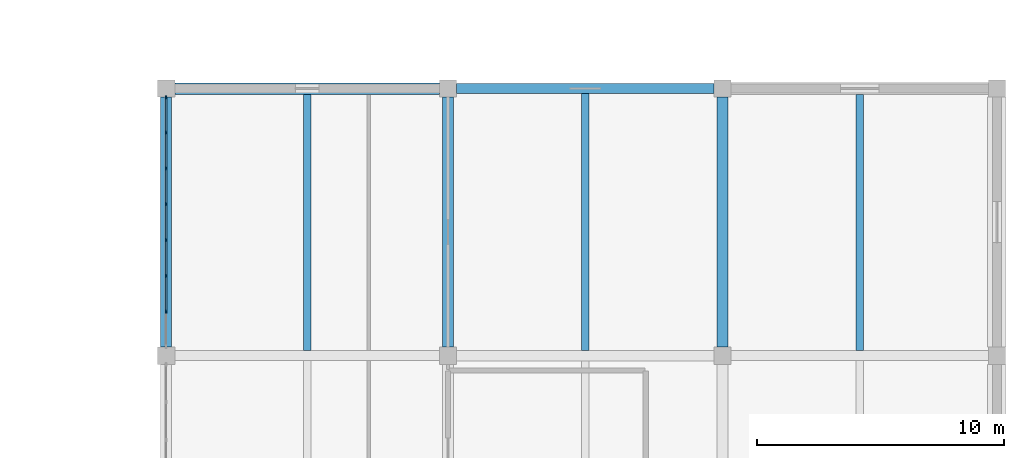
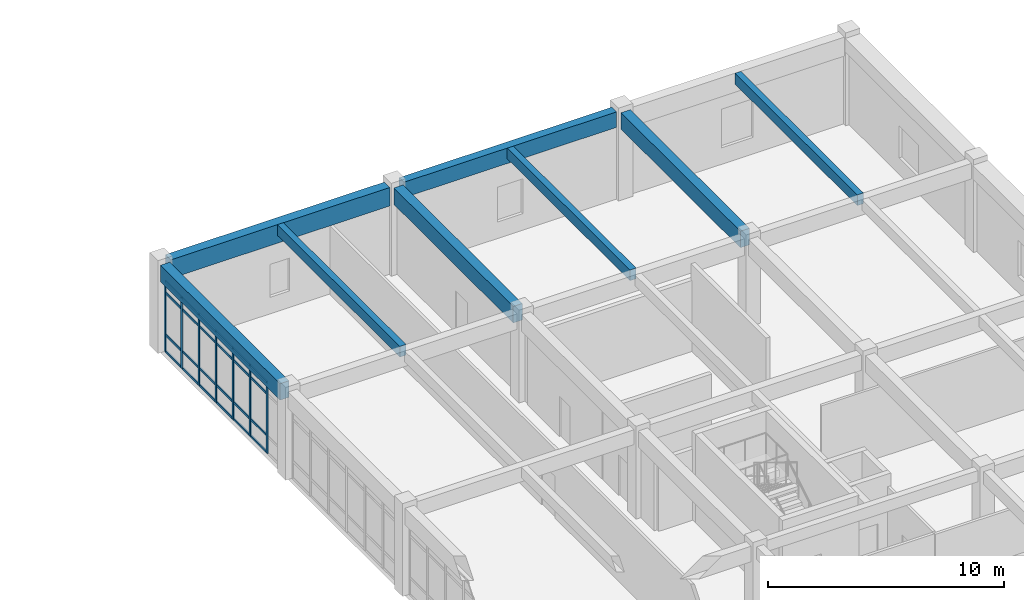
# One storey, part 31 of 65: 31 members, 8 beams, 1 element without a shape of its own.
"""IFC4 building model written with IfcOpenShell, lengths in metres."""

from ifc_helpers import new_model, si_unit, direction, frame, origin, origin_2d, place, context, subcontext, project, spatial, rectangle, extrude, material, layer, layer_set, material_profile, profile_set, type_object, element, aggregate, save


model = new_model("IFC4")

# Units and contexts
model_context = context("Model", 3, precision=1e-05, world=origin(), true_north=direction((0.0, 1.0)))
body_context = subcontext(model_context, "Body", "Model", "MODEL_VIEW")
ifc_project = project(units=[si_unit("LENGTHUNIT", "METRE"), si_unit("AREAUNIT", "SQUARE_METRE"), si_unit("VOLUMEUNIT", "CUBIC_METRE"), si_unit("PLANEANGLEUNIT", "RADIAN"), si_unit("MASSUNIT", "GRAM", prefix="KILO")], contexts=[model_context])

# Site, building, storey
site_placement = place(None, origin())
site = spatial("IfcSite", under=ifc_project, at=site_placement, CompositionType="ELEMENT")
building_placement = place(site_placement, origin())
building = spatial("IfcBuilding", under=site, at=building_placement, Name="Miralva Faculty of Natural Sciences", CompositionType="ELEMENT")
storey_placement = place(building_placement, frame((0.0, 0.0, 10.199951171875)))
storey = spatial("IfcBuildingStorey", under=building, at=storey_placement, Name="L02", CompositionType="ELEMENT", Elevation=10.199951171875)

# Beams
ifc_material_1 = material(Name="Concrete C40/50", Category="concrete")
ifc_material_profile_1 = material_profile(ifc_material_1, rectangle(XDim=0.449951171875, YDim=0.85009765625, at=origin_2d()), Name="RC 450x850")
ifc_profile_set_1 = profile_set([ifc_material_profile_1], Name="Concrete C40/50")
beam_type_1 = type_object("IfcBeamType", Name="BM-B01", PredefinedType="BEAM", material=ifc_profile_set_1)
for number, where, z_axis, x_axis, name in (
    (1, (133.800048828125, 65.75, 4.094970703125), (0.0, 1.0, 0.0), (-1.0, 0.0, 0.0), "Girder NS L02-126"),
    (2, (145.199951171875, 65.75, 4.094970703125), (0.0, 1.0, 0.0), (-1.0, 0.0, 0.0), "Girder NS L02-133"),
    (3, (156.300048828125, 65.75, 4.094970703125), (0.0, 1.0, 0.0), (-1.0, 0.0, 0.0), "Girder NS L02-140"),
):
    element("IfcBeam", number, at=place(storey_placement, frame(where, z_axis=z_axis, x_axis=x_axis)), inside=storey, type_object=beam_type_1, Name=name, PredefinedType="BEAM", context=body_context, shape_type="SweptSolid", body=[
        extrude(rectangle(XDim=0.449951171875, YDim=0.85009765625, at=origin_2d()), origin(), (0.0, 0.0, 1.0), 10.10009765625),
    ])
ifc_material_profile_2 = material_profile(ifc_material_1, rectangle(XDim=0.39990234375, YDim=0.800048828125, at=origin_2d()), Name="RC 400x800")
ifc_profile_set_2 = profile_set([ifc_material_profile_2], Name="Concrete C40/50")
beam_type_2 = type_object("IfcBeamType", Name="BM-B02", PredefinedType="BEAM", material=ifc_profile_set_2)
beam_1_placement = place(storey_placement, frame((145.550048828125, 76.199951171875, 4.1201171875), z_axis=(1.0, 0.0, 0.0), x_axis=(0.0, 1.0, 0.0)))
element("IfcBeam", 4, at=beam_1_placement, inside=storey, type_object=beam_type_2, Name="Girder EW L02-58", PredefinedType="BEAM", context=body_context, shape_type="SweptSolid", body=[
    extrude(rectangle(XDim=0.39990234375, YDim=0.800048828125, at=origin_2d()), origin(), (0.0, 0.0, 1.0), 10.39990234375),
])
ifc_material_profile_3 = material_profile(ifc_material_1, rectangle(XDim=0.4599609375, YDim=0.9599609375, at=origin_2d()), Name="RC 460x960")
ifc_profile_set_3 = profile_set([ifc_material_profile_3], Name="Concrete C40/50")
beam_type_3 = type_object("IfcBeamType", Name="BM-BG16", PredefinedType="BEAM", material=ifc_profile_set_3)
beam_2_placement = place(storey_placement, frame((134.14990234375, 76.199951171875, 4.0400390625), z_axis=(1.0, 0.0, 0.0), x_axis=(0.0, 1.0, 0.0)))
element("IfcBeam", 5, at=beam_2_placement, inside=storey, type_object=beam_type_3, Name="Girder EW L02-57", PredefinedType="BEAM", context=body_context, shape_type="SweptSolid", body=[
    extrude(rectangle(XDim=0.4599609375, YDim=0.9599609375, at=origin_2d()), origin(), (0.0, 0.0, 1.0), 10.7001953125),
])
ifc_material_profile_4 = material_profile(ifc_material_1, rectangle(XDim=0.300048828125, YDim=0.550048828125, at=origin_2d()), Name="RC 300x550")
ifc_profile_set_4 = profile_set([ifc_material_profile_4], Name="Concrete C40/50")
beam_type_4 = type_object("IfcBeamType", Name="BM-J02", PredefinedType="JOIST", material=ifc_profile_set_4)
beam_3_placement = place(storey_placement, frame((139.5, 65.60009765625, 4.2451171875), z_axis=(0.0, 1.0, 0.0), x_axis=(-1.0, 0.0, 0.0)))
element("IfcBeam", 6, at=beam_3_placement, inside=storey, type_object=beam_type_4, Name="Floor joist L02-23", PredefinedType="JOIST", context=body_context, shape_type="SweptSolid", body=[
    extrude(rectangle(XDim=0.300048828125, YDim=0.550048828125, at=origin_2d()), origin(), (0.0, 0.0, 1.0), 10.369873046875),
])
beam_4_placement = place(storey_placement, frame((150.75, 65.610107421875, 4.2451171875), z_axis=(0.0, 1.0, 0.0), x_axis=(-1.0, 0.0, 0.0)))
element("IfcBeam", 7, at=beam_4_placement, inside=storey, type_object=beam_type_4, Name="Floor joist L02-24", PredefinedType="JOIST", context=body_context, shape_type="SweptSolid", body=[
    extrude(rectangle(XDim=0.300048828125, YDim=0.550048828125, at=origin_2d()), origin(), (0.0, 0.0, 1.0), 10.389892578125),
])
beam_5_placement = place(storey_placement, frame((161.85009765625, 65.60009765625, 4.2451171875), z_axis=(0.0, 1.0, 0.0), x_axis=(-1.0, 0.0, 0.0)))
element("IfcBeam", 8, at=beam_5_placement, inside=storey, type_object=beam_type_4, Name="Floor joist L02-25", PredefinedType="JOIST", context=body_context, shape_type="SweptSolid", body=[
    extrude(rectangle(XDim=0.300048828125, YDim=0.550048828125, at=origin_2d()), origin(), (0.0, 0.0, 1.0), 10.35986328125),
])

# Curtain wall, members
ifc_material_2 = material(Name="Laminated solar-control glass", Category="glass")
ifc_layer = layer(ifc_material_2, 0.179931640625, Name="CW-COM-L01")
ifc_layer_set = layer_set([ifc_layer], Name="Laminated solar-control glass")
curtain_wall_type = type_object("IfcCurtainWallType", Name="CW-COM-L01", PredefinedType="USERDEFINED", material=ifc_layer_set)
curtain_wall_placement = place(storey_placement, origin())
curtain_wall = element("IfcCurtainWall", 9, at=curtain_wall_placement, inside=storey, type_object=curtain_wall_type, Name="Curtain wall CW-10 L02-274", ObjectType="UNITISED CURTAIN WALL", PredefinedType="USERDEFINED")
ifc_material_3 = material(Name="Anodised aluminium", Category="aluminium")
ifc_material_profile_5 = material_profile(ifc_material_3, rectangle(XDim=0.06005859375, YDim=0.139892578125, at=origin_2d()), Name="MULLION 60x140")
ifc_profile_set_5 = profile_set([ifc_material_profile_5], Name="Anodised aluminium")
member_type_1 = type_object("IfcMemberType", Name="CW-M03", PredefinedType="MULLION", material=ifc_profile_set_5)
member_1_placement = place(storey_placement, frame((133.800048828125, 67.18212890625, 0.0), z_axis=(0.0, 0.0, 1.0), x_axis=(-1.0, 0.0, 0.0)))
member_1 = element("IfcMember", 10, at=member_1_placement, type_object=member_type_1, Name="CW-10 mullion 2", PredefinedType="MULLION", context=body_context, shape_type="SweptSolid", body=[
    extrude(rectangle(XDim=0.06005859375, YDim=0.139892578125, at=origin_2d()), origin(), (0.0, 0.0, 1.0), 3.6650390625),
])
member_2_placement = place(storey_placement, frame((133.800048828125, 68.62939453125, 0.0), z_axis=(0.0, 0.0, 1.0), x_axis=(-1.0, 0.0, 0.0)))
member_2 = element("IfcMember", 11, at=member_2_placement, type_object=member_type_1, Name="CW-10 mullion 3", PredefinedType="MULLION", context=body_context, shape_type="SweptSolid", body=[
    extrude(rectangle(XDim=0.06005859375, YDim=0.139892578125, at=origin_2d()), origin(), (0.0, 0.0, 1.0), 3.6650390625),
])
member_3_placement = place(storey_placement, frame((133.800048828125, 70.076416015625, 0.0), z_axis=(0.0, 0.0, 1.0), x_axis=(-1.0, 0.0, 0.0)))
member_3 = element("IfcMember", 12, at=member_3_placement, type_object=member_type_1, Name="CW-10 mullion 4", PredefinedType="MULLION", context=body_context, shape_type="SweptSolid", body=[
    extrude(rectangle(XDim=0.06005859375, YDim=0.139892578125, at=origin_2d()), origin(), (0.0, 0.0, 1.0), 3.6650390625),
])
member_4_placement = place(storey_placement, frame((133.800048828125, 71.523681640625, 0.0), z_axis=(0.0, 0.0, 1.0), x_axis=(-1.0, 0.0, 0.0)))
member_4 = element("IfcMember", 13, at=member_4_placement, type_object=member_type_1, Name="CW-10 mullion 5", PredefinedType="MULLION", context=body_context, shape_type="SweptSolid", body=[
    extrude(rectangle(XDim=0.06005859375, YDim=0.139892578125, at=origin_2d()), origin(), (0.0, 0.0, 1.0), 3.6650390625),
])
member_5_placement = place(storey_placement, frame((133.800048828125, 72.970703125, 0.0), z_axis=(0.0, 0.0, 1.0), x_axis=(-1.0, 0.0, 0.0)))
member_5 = element("IfcMember", 14, at=member_5_placement, type_object=member_type_1, Name="CW-10 mullion 6", PredefinedType="MULLION", context=body_context, shape_type="SweptSolid", body=[
    extrude(rectangle(XDim=0.06005859375, YDim=0.139892578125, at=origin_2d()), origin(), (0.0, 0.0, 1.0), 3.6650390625),
])
member_6_placement = place(storey_placement, frame((133.800048828125, 74.41796875, 0.0), z_axis=(0.0, 0.0, 1.0), x_axis=(-1.0, 0.0, 0.0)))
member_6 = element("IfcMember", 15, at=member_6_placement, type_object=member_type_1, Name="CW-10 mullion 7", PredefinedType="MULLION", context=body_context, shape_type="SweptSolid", body=[
    extrude(rectangle(XDim=0.06005859375, YDim=0.139892578125, at=origin_2d()), origin(), (0.0, 0.0, 1.0), 3.6650390625),
])
member_7_placement = place(storey_placement, frame((133.800048828125, 75.8349609375, 0.0), z_axis=(0.0, 0.0, 1.0), x_axis=(-1.0, 0.0, 0.0)))
member_7 = element("IfcMember", 16, at=member_7_placement, type_object=member_type_1, Name="CW-10 mullion 8", PredefinedType="MULLION", context=body_context, shape_type="SweptSolid", body=[
    extrude(rectangle(XDim=0.06005859375, YDim=0.139892578125, at=origin_2d()), origin(), (0.0, 0.0, 1.0), 3.6650390625),
])
ifc_material_profile_6 = material_profile(ifc_material_3, rectangle(XDim=0.06005859375, YDim=0.1201171875, at=origin_2d()), Name="TRANSOM 60x120")
ifc_profile_set_6 = profile_set([ifc_material_profile_6], Name="Anodised aluminium")
member_type_2 = type_object("IfcMemberType", Name="CW-T02", PredefinedType="USERDEFINED", material=ifc_profile_set_6)
member_8_placement = place(storey_placement, frame((133.800048828125, 67.212158203125, 0.030029296875), z_axis=(0.0, 1.0, 0.0), x_axis=(-1.0, 0.0, 0.0)))
member_8 = element("IfcMember", 17, at=member_8_placement, type_object=member_type_2, Name="CW-10 transom 2.1", ObjectType="TRANSOM", PredefinedType="USERDEFINED", context=body_context, shape_type="SweptSolid", body=[
    extrude(rectangle(XDim=0.06005859375, YDim=0.1201171875, at=origin_2d()), origin(), (0.0, 0.0, 1.0), 1.38720703125),
])
member_9_placement = place(storey_placement, frame((133.800048828125, 67.212158203125, 0.900146484375), z_axis=(0.0, 1.0, 0.0), x_axis=(-1.0, 0.0, 0.0)))
member_9 = element("IfcMember", 18, at=member_9_placement, type_object=member_type_2, Name="CW-10 transom 2.2", ObjectType="TRANSOM", PredefinedType="USERDEFINED", context=body_context, shape_type="SweptSolid", body=[
    extrude(rectangle(XDim=0.06005859375, YDim=0.1201171875, at=origin_2d()), origin(), (0.0, 0.0, 1.0), 1.38720703125),
])
member_10_placement = place(storey_placement, frame((133.800048828125, 67.212158203125, 3.06494140625), z_axis=(0.0, 1.0, 0.0), x_axis=(-1.0, 0.0, 0.0)))
member_10 = element("IfcMember", 19, at=member_10_placement, type_object=member_type_2, Name="CW-10 transom 2.3", ObjectType="TRANSOM", PredefinedType="USERDEFINED", context=body_context, shape_type="SweptSolid", body=[
    extrude(rectangle(XDim=0.06005859375, YDim=0.1201171875, at=origin_2d()), origin(), (0.0, 0.0, 1.0), 1.38720703125),
])
member_11_placement = place(storey_placement, frame((133.800048828125, 67.212158203125, 3.635009765625), z_axis=(0.0, 1.0, 0.0), x_axis=(-1.0, 0.0, 0.0)))
member_11 = element("IfcMember", 20, at=member_11_placement, type_object=member_type_2, Name="CW-10 transom 2.4", ObjectType="TRANSOM", PredefinedType="USERDEFINED", context=body_context, shape_type="SweptSolid", body=[
    extrude(rectangle(XDim=0.06005859375, YDim=0.1201171875, at=origin_2d()), origin(), (0.0, 0.0, 1.0), 1.38720703125),
])
member_12_placement = place(storey_placement, frame((133.800048828125, 68.6591796875, 0.030029296875), z_axis=(0.0, 1.0, 0.0), x_axis=(-1.0, 0.0, 0.0)))
member_12 = element("IfcMember", 21, at=member_12_placement, type_object=member_type_2, Name="CW-10 transom 3.1", ObjectType="TRANSOM", PredefinedType="USERDEFINED", context=body_context, shape_type="SweptSolid", body=[
    extrude(rectangle(XDim=0.06005859375, YDim=0.1201171875, at=origin_2d()), origin(), (0.0, 0.0, 1.0), 1.38720703125),
])
member_13_placement = place(storey_placement, frame((133.800048828125, 68.6591796875, 0.900146484375), z_axis=(0.0, 1.0, 0.0), x_axis=(-1.0, 0.0, 0.0)))
member_13 = element("IfcMember", 22, at=member_13_placement, type_object=member_type_2, Name="CW-10 transom 3.2", ObjectType="TRANSOM", PredefinedType="USERDEFINED", context=body_context, shape_type="SweptSolid", body=[
    extrude(rectangle(XDim=0.06005859375, YDim=0.1201171875, at=origin_2d()), origin(), (0.0, 0.0, 1.0), 1.38720703125),
])
member_14_placement = place(storey_placement, frame((133.800048828125, 68.6591796875, 3.06494140625), z_axis=(0.0, 1.0, 0.0), x_axis=(-1.0, 0.0, 0.0)))
member_14 = element("IfcMember", 23, at=member_14_placement, type_object=member_type_2, Name="CW-10 transom 3.3", ObjectType="TRANSOM", PredefinedType="USERDEFINED", context=body_context, shape_type="SweptSolid", body=[
    extrude(rectangle(XDim=0.06005859375, YDim=0.1201171875, at=origin_2d()), origin(), (0.0, 0.0, 1.0), 1.38720703125),
])
member_15_placement = place(storey_placement, frame((133.800048828125, 68.6591796875, 3.635009765625), z_axis=(0.0, 1.0, 0.0), x_axis=(-1.0, 0.0, 0.0)))
member_15 = element("IfcMember", 24, at=member_15_placement, type_object=member_type_2, Name="CW-10 transom 3.4", ObjectType="TRANSOM", PredefinedType="USERDEFINED", context=body_context, shape_type="SweptSolid", body=[
    extrude(rectangle(XDim=0.06005859375, YDim=0.1201171875, at=origin_2d()), origin(), (0.0, 0.0, 1.0), 1.38720703125),
])
member_16_placement = place(storey_placement, frame((133.800048828125, 70.1064453125, 0.030029296875), z_axis=(0.0, 1.0, 0.0), x_axis=(-1.0, 0.0, 0.0)))
member_16 = element("IfcMember", 25, at=member_16_placement, type_object=member_type_2, Name="CW-10 transom 4.1", ObjectType="TRANSOM", PredefinedType="USERDEFINED", context=body_context, shape_type="SweptSolid", body=[
    extrude(rectangle(XDim=0.06005859375, YDim=0.1201171875, at=origin_2d()), origin(), (0.0, 0.0, 1.0), 1.38720703125),
])
member_17_placement = place(storey_placement, frame((133.800048828125, 70.1064453125, 0.900146484375), z_axis=(0.0, 1.0, 0.0), x_axis=(-1.0, 0.0, 0.0)))
member_17 = element("IfcMember", 26, at=member_17_placement, type_object=member_type_2, Name="CW-10 transom 4.2", ObjectType="TRANSOM", PredefinedType="USERDEFINED", context=body_context, shape_type="SweptSolid", body=[
    extrude(rectangle(XDim=0.06005859375, YDim=0.1201171875, at=origin_2d()), origin(), (0.0, 0.0, 1.0), 1.38720703125),
])
member_18_placement = place(storey_placement, frame((133.800048828125, 70.1064453125, 3.06494140625), z_axis=(0.0, 1.0, 0.0), x_axis=(-1.0, 0.0, 0.0)))
member_18 = element("IfcMember", 27, at=member_18_placement, type_object=member_type_2, Name="CW-10 transom 4.3", ObjectType="TRANSOM", PredefinedType="USERDEFINED", context=body_context, shape_type="SweptSolid", body=[
    extrude(rectangle(XDim=0.06005859375, YDim=0.1201171875, at=origin_2d()), origin(), (0.0, 0.0, 1.0), 1.38720703125),
])
member_19_placement = place(storey_placement, frame((133.800048828125, 70.1064453125, 3.635009765625), z_axis=(0.0, 1.0, 0.0), x_axis=(-1.0, 0.0, 0.0)))
member_19 = element("IfcMember", 28, at=member_19_placement, type_object=member_type_2, Name="CW-10 transom 4.4", ObjectType="TRANSOM", PredefinedType="USERDEFINED", context=body_context, shape_type="SweptSolid", body=[
    extrude(rectangle(XDim=0.06005859375, YDim=0.1201171875, at=origin_2d()), origin(), (0.0, 0.0, 1.0), 1.38720703125),
])
member_20_placement = place(storey_placement, frame((133.800048828125, 71.553466796875, 0.030029296875), z_axis=(0.0, 1.0, 0.0), x_axis=(-1.0, 0.0, 0.0)))
member_20 = element("IfcMember", 29, at=member_20_placement, type_object=member_type_2, Name="CW-10 transom 5.1", ObjectType="TRANSOM", PredefinedType="USERDEFINED", context=body_context, shape_type="SweptSolid", body=[
    extrude(rectangle(XDim=0.06005859375, YDim=0.1201171875, at=origin_2d()), origin(), (0.0, 0.0, 1.0), 1.38720703125),
])
member_21_placement = place(storey_placement, frame((133.800048828125, 71.553466796875, 0.900146484375), z_axis=(0.0, 1.0, 0.0), x_axis=(-1.0, 0.0, 0.0)))
member_21 = element("IfcMember", 30, at=member_21_placement, type_object=member_type_2, Name="CW-10 transom 5.2", ObjectType="TRANSOM", PredefinedType="USERDEFINED", context=body_context, shape_type="SweptSolid", body=[
    extrude(rectangle(XDim=0.06005859375, YDim=0.1201171875, at=origin_2d()), origin(), (0.0, 0.0, 1.0), 1.38720703125),
])
member_22_placement = place(storey_placement, frame((133.800048828125, 71.553466796875, 3.06494140625), z_axis=(0.0, 1.0, 0.0), x_axis=(-1.0, 0.0, 0.0)))
member_22 = element("IfcMember", 31, at=member_22_placement, type_object=member_type_2, Name="CW-10 transom 5.3", ObjectType="TRANSOM", PredefinedType="USERDEFINED", context=body_context, shape_type="SweptSolid", body=[
    extrude(rectangle(XDim=0.06005859375, YDim=0.1201171875, at=origin_2d()), origin(), (0.0, 0.0, 1.0), 1.38720703125),
])
member_23_placement = place(storey_placement, frame((133.800048828125, 71.553466796875, 3.635009765625), z_axis=(0.0, 1.0, 0.0), x_axis=(-1.0, 0.0, 0.0)))
member_23 = element("IfcMember", 32, at=member_23_placement, type_object=member_type_2, Name="CW-10 transom 5.4", ObjectType="TRANSOM", PredefinedType="USERDEFINED", context=body_context, shape_type="SweptSolid", body=[
    extrude(rectangle(XDim=0.06005859375, YDim=0.1201171875, at=origin_2d()), origin(), (0.0, 0.0, 1.0), 1.38720703125),
])
member_24_placement = place(storey_placement, frame((133.800048828125, 73.000732421875, 0.030029296875), z_axis=(0.0, 1.0, 0.0), x_axis=(-1.0, 0.0, 0.0)))
member_24 = element("IfcMember", 33, at=member_24_placement, type_object=member_type_2, Name="CW-10 transom 6.1", ObjectType="TRANSOM", PredefinedType="USERDEFINED", context=body_context, shape_type="SweptSolid", body=[
    extrude(rectangle(XDim=0.06005859375, YDim=0.1201171875, at=origin_2d()), origin(), (0.0, 0.0, 1.0), 1.38720703125),
])
member_25_placement = place(storey_placement, frame((133.800048828125, 73.000732421875, 0.900146484375), z_axis=(0.0, 1.0, 0.0), x_axis=(-1.0, 0.0, 0.0)))
member_25 = element("IfcMember", 34, at=member_25_placement, type_object=member_type_2, Name="CW-10 transom 6.2", ObjectType="TRANSOM", PredefinedType="USERDEFINED", context=body_context, shape_type="SweptSolid", body=[
    extrude(rectangle(XDim=0.06005859375, YDim=0.1201171875, at=origin_2d()), origin(), (0.0, 0.0, 1.0), 1.38720703125),
])
member_26_placement = place(storey_placement, frame((133.800048828125, 73.000732421875, 3.06494140625), z_axis=(0.0, 1.0, 0.0), x_axis=(-1.0, 0.0, 0.0)))
member_26 = element("IfcMember", 35, at=member_26_placement, type_object=member_type_2, Name="CW-10 transom 6.3", ObjectType="TRANSOM", PredefinedType="USERDEFINED", context=body_context, shape_type="SweptSolid", body=[
    extrude(rectangle(XDim=0.06005859375, YDim=0.1201171875, at=origin_2d()), origin(), (0.0, 0.0, 1.0), 1.38720703125),
])
member_27_placement = place(storey_placement, frame((133.800048828125, 73.000732421875, 3.635009765625), z_axis=(0.0, 1.0, 0.0), x_axis=(-1.0, 0.0, 0.0)))
member_27 = element("IfcMember", 36, at=member_27_placement, type_object=member_type_2, Name="CW-10 transom 6.4", ObjectType="TRANSOM", PredefinedType="USERDEFINED", context=body_context, shape_type="SweptSolid", body=[
    extrude(rectangle(XDim=0.06005859375, YDim=0.1201171875, at=origin_2d()), origin(), (0.0, 0.0, 1.0), 1.38720703125),
])
member_28_placement = place(storey_placement, frame((133.800048828125, 74.44775390625, 0.030029296875), z_axis=(0.0, 1.0, 0.0), x_axis=(-1.0, 0.0, 0.0)))
member_28 = element("IfcMember", 37, at=member_28_placement, type_object=member_type_2, Name="CW-10 transom 7.1", ObjectType="TRANSOM", PredefinedType="USERDEFINED", context=body_context, shape_type="SweptSolid", body=[
    extrude(rectangle(XDim=0.06005859375, YDim=0.1201171875, at=origin_2d()), origin(), (0.0, 0.0, 1.0), 1.357177734375),
])
member_29_placement = place(storey_placement, frame((133.800048828125, 74.44775390625, 0.900146484375), z_axis=(0.0, 1.0, 0.0), x_axis=(-1.0, 0.0, 0.0)))
member_29 = element("IfcMember", 38, at=member_29_placement, type_object=member_type_2, Name="CW-10 transom 7.2", ObjectType="TRANSOM", PredefinedType="USERDEFINED", context=body_context, shape_type="SweptSolid", body=[
    extrude(rectangle(XDim=0.06005859375, YDim=0.1201171875, at=origin_2d()), origin(), (0.0, 0.0, 1.0), 1.357177734375),
])
member_30_placement = place(storey_placement, frame((133.800048828125, 74.44775390625, 3.06494140625), z_axis=(0.0, 1.0, 0.0), x_axis=(-1.0, 0.0, 0.0)))
member_30 = element("IfcMember", 39, at=member_30_placement, type_object=member_type_2, Name="CW-10 transom 7.3", ObjectType="TRANSOM", PredefinedType="USERDEFINED", context=body_context, shape_type="SweptSolid", body=[
    extrude(rectangle(XDim=0.06005859375, YDim=0.1201171875, at=origin_2d()), origin(), (0.0, 0.0, 1.0), 1.357177734375),
])
member_31_placement = place(storey_placement, frame((133.800048828125, 74.44775390625, 3.635009765625), z_axis=(0.0, 1.0, 0.0), x_axis=(-1.0, 0.0, 0.0)))
member_31 = element("IfcMember", 40, at=member_31_placement, type_object=member_type_2, Name="CW-10 transom 7.4", ObjectType="TRANSOM", PredefinedType="USERDEFINED", context=body_context, shape_type="SweptSolid", body=[
    extrude(rectangle(XDim=0.06005859375, YDim=0.1201171875, at=origin_2d()), origin(), (0.0, 0.0, 1.0), 1.357177734375),
])
aggregate(curtain_wall, [member_1, member_2, member_3, member_4, member_5, member_6, member_7, member_8, member_9, member_10, member_11, member_12, member_13, member_14, member_15, member_16, member_17, member_18, member_19, member_20, member_21, member_22, member_23, member_24, member_25, member_26, member_27, member_28, member_29, member_30, member_31])

save(model, "model.ifc")
